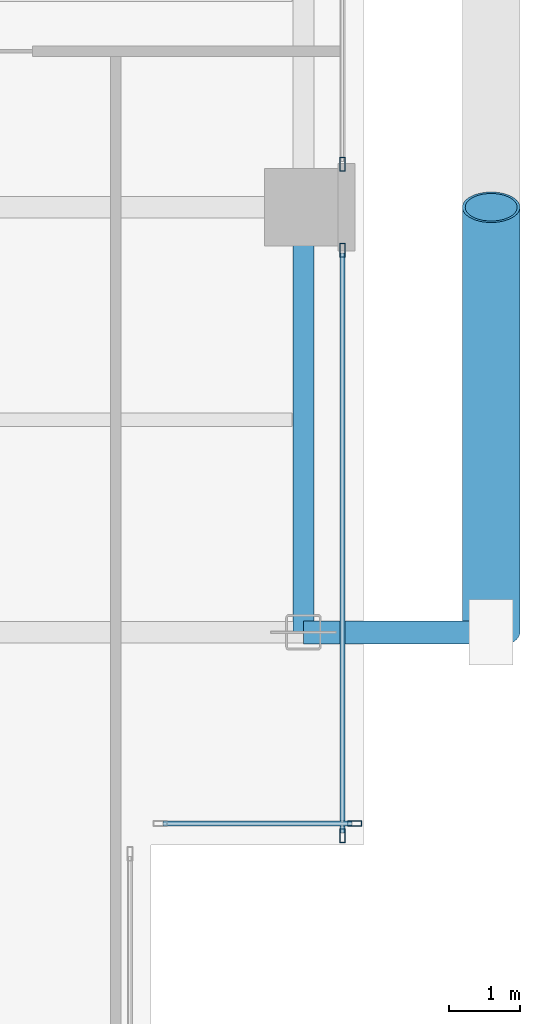
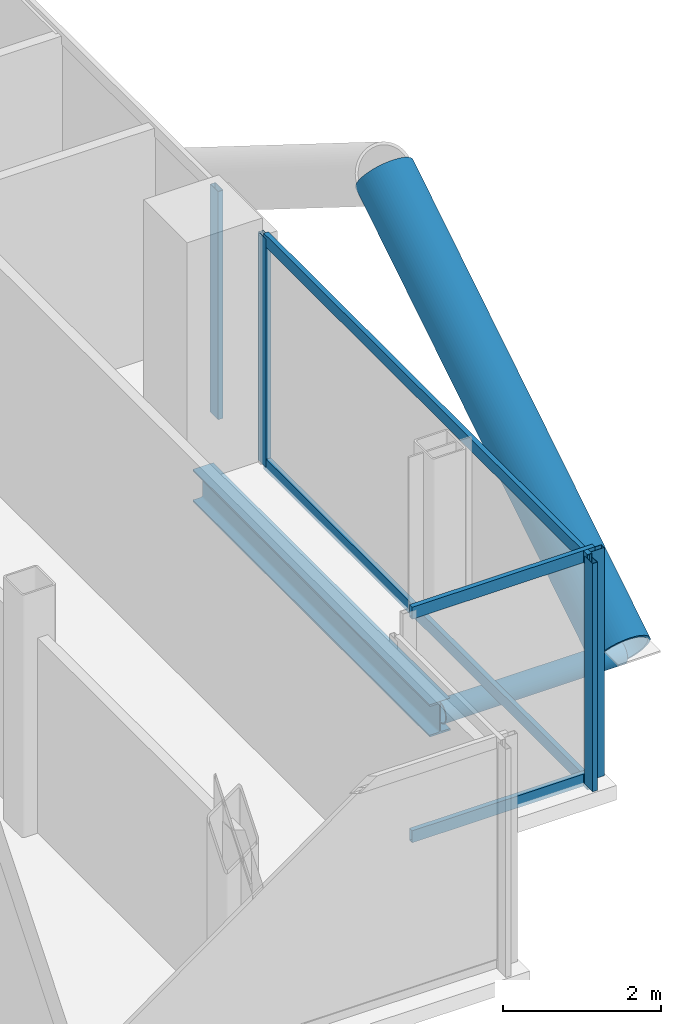
# One storey, part 11 of 24: 10 members, 1 beam, 3 elements without a shape of their own.
"""IFC4 building model written with IfcOpenShell, lengths in metres."""

from ifc_helpers import new_model, si_unit, direction, frame, origin, origin_2d, place, context, subcontext, project, spatial, hollow_rectangle, hollow_circle, i_section, extrude, material, layer, layer_set, material_profile, profile_set, type_object, element, aggregate, save


model = new_model("IFC4")

# Units and contexts
model_context = context("Model", 3, precision=1e-05, world=origin(), true_north=direction((0.0, 1.0)))
body_context = subcontext(model_context, "Body", "Model", "MODEL_VIEW")
ifc_project = project(units=[si_unit("LENGTHUNIT", "METRE"), si_unit("AREAUNIT", "SQUARE_METRE"), si_unit("VOLUMEUNIT", "CUBIC_METRE"), si_unit("PLANEANGLEUNIT", "RADIAN"), si_unit("MASSUNIT", "GRAM", prefix="KILO"), si_unit("THERMODYNAMICTEMPERATUREUNIT", "KELVIN"), si_unit("POWERUNIT", "WATT")], contexts=[model_context])

# Site, building, storey
site_placement = place(None, origin())
site = spatial("IfcSite", under=ifc_project, at=site_placement, CompositionType="ELEMENT")
building_placement = place(site_placement, origin())
building = spatial("IfcBuilding", under=site, at=building_placement, Name="Svarakhadi Broadcast Tower", CompositionType="ELEMENT")
storey_placement = place(building_placement, frame((0.0, 0.0, 156.89990234375)))
storey = spatial("IfcBuildingStorey", under=building, at=storey_placement, Name="L38", CompositionType="ELEMENT", Elevation=156.89990234375)

# Curtain wall, member
ifc_material_1 = material(Name="Anodised Bronze Aluminium AA 6063-T6", Category="aluminium")
ifc_layer = layer(ifc_material_1, 0.199951171875)
ifc_layer_set = layer_set([ifc_layer], Name="Anodised Bronze Aluminium AA 6063-T6")
curtain_wall_type = type_object("IfcCurtainWallType", Name="CW_Sys_03", PredefinedType="NOTDEFINED", material=ifc_layer_set)
curtain_wall_1_placement = place(storey_placement, origin())
curtain_wall_1 = element("IfcCurtainWall", 1, at=curtain_wall_1_placement, inside=storey, type_object=curtain_wall_type, Name="L38 Unitised Facade Curtain Wall 13 Bay 1", PredefinedType="NOTDEFINED")
ifc_material_profile_1 = material_profile(ifc_material_1, hollow_rectangle(XDim=0.074951171875, YDim=0.199951171875, WallThickness=0.005615234375, at=origin_2d()), Name="ALU MULLION 200x75x6")
ifc_profile_set_1 = profile_set([ifc_material_profile_1], Name="Anodised Bronze Aluminium AA 6063-T6")
member_type_1 = type_object("IfcMemberType", Name="CW_Sys_03_Mul", PredefinedType="MULLION", material=ifc_profile_set_1)
member_1_placement = place(storey_placement, frame((47.699951171875, 12.607421875, 0.0), z_axis=(0.0, 0.0, 1.0), x_axis=(1.0, 0.0, 0.0)))
member_1 = element("IfcMember", 2, at=member_1_placement, type_object=member_type_1, Name="CW-03 mullion 2", PredefinedType="MULLION", context=body_context, shape_type="SweptSolid", body=[
    extrude(hollow_rectangle(XDim=0.074951171875, YDim=0.199951171875, WallThickness=0.005615234375, at=origin_2d()), origin(), (0.0, 0.0, 1.0), 3.525146484375),
])
aggregate(curtain_wall_1, [member_1])

# Curtain wall, members
curtain_wall_2_placement = place(storey_placement, origin())
curtain_wall_2 = element("IfcCurtainWall", 3, at=curtain_wall_2_placement, inside=storey, type_object=curtain_wall_type, Name="L38 Unitised Facade Curtain Wall 13 Bay 2", PredefinedType="NOTDEFINED")
member_2_placement = place(storey_placement, frame((47.699951171875, 11.392578125, 0.0), z_axis=(0.0, 0.0, 1.0), x_axis=(1.0, 0.0, 0.0)))
member_2 = element("IfcMember", 4, at=member_2_placement, type_object=member_type_1, Name="CW-03 mullion 1", PredefinedType="MULLION", context=body_context, shape_type="SweptSolid", body=[
    extrude(hollow_rectangle(XDim=0.074951171875, YDim=0.199951171875, WallThickness=0.005615234375, at=origin_2d()), origin(), (0.0, 0.0, 1.0), 3.525146484375),
])
member_3_placement = place(storey_placement, frame((47.699951171875, 3.12744140625, 0.0), z_axis=(0.0, 0.0, 1.0), x_axis=(1.0, 0.0, 0.0)))
member_3 = element("IfcMember", 5, at=member_3_placement, type_object=member_type_1, Name="CW-03 mullion 2", PredefinedType="MULLION", context=body_context, shape_type="SweptSolid", body=[
    extrude(hollow_rectangle(XDim=0.074951171875, YDim=0.199951171875, WallThickness=0.005615234375, at=origin_2d()), origin(), (0.0, 0.0, 1.0), 3.525146484375),
])

# Curtain wall, member
curtain_wall_3_placement = place(storey_placement, origin())
curtain_wall_3 = element("IfcCurtainWall", 6, at=curtain_wall_3_placement, inside=storey, type_object=curtain_wall_type, Name="L38 Unitised Facade Curtain Wall 14", PredefinedType="NOTDEFINED")
member_4_placement = place(storey_placement, frame((47.87255859375, 3.300048828125, 0.0), z_axis=(0.0, 0.0, 1.0), x_axis=(0.0, -1.0, 0.0)))
member_4 = element("IfcMember", 7, at=member_4_placement, type_object=member_type_1, Name="CW-03 mullion 1", PredefinedType="MULLION", context=body_context, shape_type="SweptSolid", body=[
    extrude(hollow_rectangle(XDim=0.074951171875, YDim=0.199951171875, WallThickness=0.005615234375, at=origin_2d()), origin(), (0.0, 0.0, 1.0), 3.525146484375),
])

# Member
ifc_material_profile_2 = material_profile(ifc_material_1, hollow_rectangle(XDim=0.070068359375, YDim=0.18505859375, WallThickness=0.0048828125, at=origin_2d()), Name="ALU TRANSOM 185x70x5")
ifc_profile_set_2 = profile_set([ifc_material_profile_2], Name="Anodised Bronze Aluminium AA 6063-T6")
member_type_2 = type_object("IfcMemberType", Name="CW_Sys_03_Trn", PredefinedType="USERDEFINED", material=ifc_profile_set_2)
member_5_placement = place(storey_placement, frame((47.699951171875, 11.35498046875, 0.03515625), z_axis=(0.0, -1.0, 0.0), x_axis=(1.0, 0.0, 0.0)))
member_5 = element("IfcMember", 8, at=member_5_placement, type_object=member_type_2, Name="CW-03 transom 1.1", ObjectType="TRANSOM", PredefinedType="USERDEFINED", context=body_context, shape_type="SweptSolid", body=[
    extrude(hollow_rectangle(XDim=0.070068359375, YDim=0.18505859375, WallThickness=0.0048828125, at=origin_2d()), origin(), (0.0, 0.0, 1.0), 8.18994140625),
])

member_6_placement = place(storey_placement, frame((47.699951171875, 11.35498046875, 3.489990234375), z_axis=(0.0, -1.0, 0.0), x_axis=(1.0, 0.0, 0.0)))
member_6 = element("IfcMember", 9, at=member_6_placement, type_object=member_type_2, Name="CW-03 transom 1.2", ObjectType="TRANSOM", PredefinedType="USERDEFINED", context=body_context, shape_type="SweptSolid", body=[
    extrude(hollow_rectangle(XDim=0.070068359375, YDim=0.18505859375, WallThickness=0.0048828125, at=origin_2d()), origin(), (0.0, 0.0, 1.0), 8.18994140625),
])

aggregate(curtain_wall_2, [member_2, member_3, member_5, member_6])

member_7_placement = place(storey_placement, frame((47.8349609375, 3.300048828125, 0.03515625), z_axis=(-1.0, 0.0, 0.0), x_axis=(0.0, -1.0, 0.0)))
member_7 = element("IfcMember", 10, at=member_7_placement, type_object=member_type_2, Name="CW-03 transom 1.1", ObjectType="TRANSOM", PredefinedType="USERDEFINED", context=body_context, shape_type="SweptSolid", body=[
    extrude(hollow_rectangle(XDim=0.070068359375, YDim=0.18505859375, WallThickness=0.0048828125, at=origin_2d()), origin(), (0.0, 0.0, 1.0), 2.669921875),
])

member_8_placement = place(storey_placement, frame((47.8349609375, 3.300048828125, 3.489990234375), z_axis=(-1.0, 0.0, 0.0), x_axis=(0.0, -1.0, 0.0)))
member_8 = element("IfcMember", 11, at=member_8_placement, type_object=member_type_2, Name="CW-03 transom 1.2", ObjectType="TRANSOM", PredefinedType="USERDEFINED", context=body_context, shape_type="SweptSolid", body=[
    extrude(hollow_rectangle(XDim=0.070068359375, YDim=0.18505859375, WallThickness=0.0048828125, at=origin_2d()), origin(), (0.0, 0.0, 1.0), 2.669921875),
])

aggregate(curtain_wall_3, [member_4, member_7, member_8])

# Members
ifc_material_2 = material(Name="Steel S460ML (IS 2062 E450BR)", Category="steel")
ifc_material_profile_3 = material_profile(ifc_material_2, hollow_circle(Radius=0.406494140625, WallThickness=0.0400390625, at=origin_2d()), Name="CHS 813x40")
ifc_profile_set_3 = profile_set([ifc_material_profile_3], Name="Steel S460ML (IS 2062 E450BR)")
member_type_3 = type_object("IfcMemberType", Name="Exo_Brace_CHS813", PredefinedType="BRACE", material=ifc_profile_set_3)
member_9_placement = place(storey_placement, frame((49.800048828125, 6.0, -0.386962890625), z_axis=(0.0, 0.847998304005, 0.529998940003), x_axis=(-1.0, 0.0, 0.0)))
element("IfcMember", 12, at=member_9_placement, inside=storey, type_object=member_type_3, Name="L38 Exposed Bronze Exoskeleton Diagonal E06", PredefinedType="BRACE", context=body_context, shape_type="SweptSolid", body=[
    extrude(hollow_circle(Radius=0.406494140625, WallThickness=0.0400390625, at=origin_2d()), origin(), (0.0, 0.0, 1.0), 7.075439453125),
])
ifc_material_profile_4 = material_profile(ifc_material_2, hollow_circle(Radius=0.161865234375, WallThickness=0.01611328125, at=origin_2d()), Name="CHS 323.9x16")
ifc_profile_set_4 = profile_set([ifc_material_profile_4], Name="Steel S460ML (IS 2062 E450BR)")
member_type_4 = type_object("IfcMemberType", Name="Exo_Radial_Strut_Z2", PredefinedType="STRUT", material=ifc_profile_set_4)
member_10_placement = place(storey_placement, frame((49.800048828125, 6.0, -0.386962890625), z_axis=(-1.0, 0.0, 0.0), x_axis=(0.0, -1.0, 0.0)))
element("IfcMember", 13, at=member_10_placement, inside=storey, type_object=member_type_4, Name="L38 Exoskeleton Radial Tie Strut E08", PredefinedType="STRUT", context=body_context, shape_type="SweptSolid", body=[
    extrude(hollow_circle(Radius=0.161865234375, WallThickness=0.01611328125, at=origin_2d()), origin(), (0.0, 0.0, 1.0), 2.650146484375),
])

# Beam
ifc_material_3 = material(Name="Steel S355J2 (IS 2062 E350C)", Category="steel")
ifc_material_profile_5 = material_profile(ifc_material_3, i_section(OverallWidth=0.300048828125, OverallDepth=0.5, WebThickness=0.014404296875, FlangeThickness=0.028076171875, FilletRadius=0.027099609375, at=origin_2d()), Name="WPB 500x300x187")
ifc_profile_set_5 = profile_set([ifc_material_profile_5], Name="Steel S355J2 (IS 2062 E350C)")
beam_type = type_object("IfcBeamType", Name="Girder_WPB500", PredefinedType="USERDEFINED", material=ifc_profile_set_5)
beam_placement = place(storey_placement, frame((47.14990234375, 6.0, -0.474853515625), z_axis=(0.0, 1.0, 0.0), x_axis=(-1.0, 0.0, 0.0)))
element("IfcBeam", 14, at=beam_placement, inside=storey, type_object=beam_type, Name="L38 Primary N-S Girder G073", ObjectType="GIRDER", PredefinedType="USERDEFINED", context=body_context, shape_type="SweptSolid", body=[
    extrude(i_section(OverallWidth=0.300048828125, OverallDepth=0.5, WebThickness=0.014404296875, FlangeThickness=0.028076171875, FilletRadius=0.027099609375, at=origin_2d()), origin(), (0.0, 0.0, 1.0), 6.0),
])

save(model, "model.ifc")
